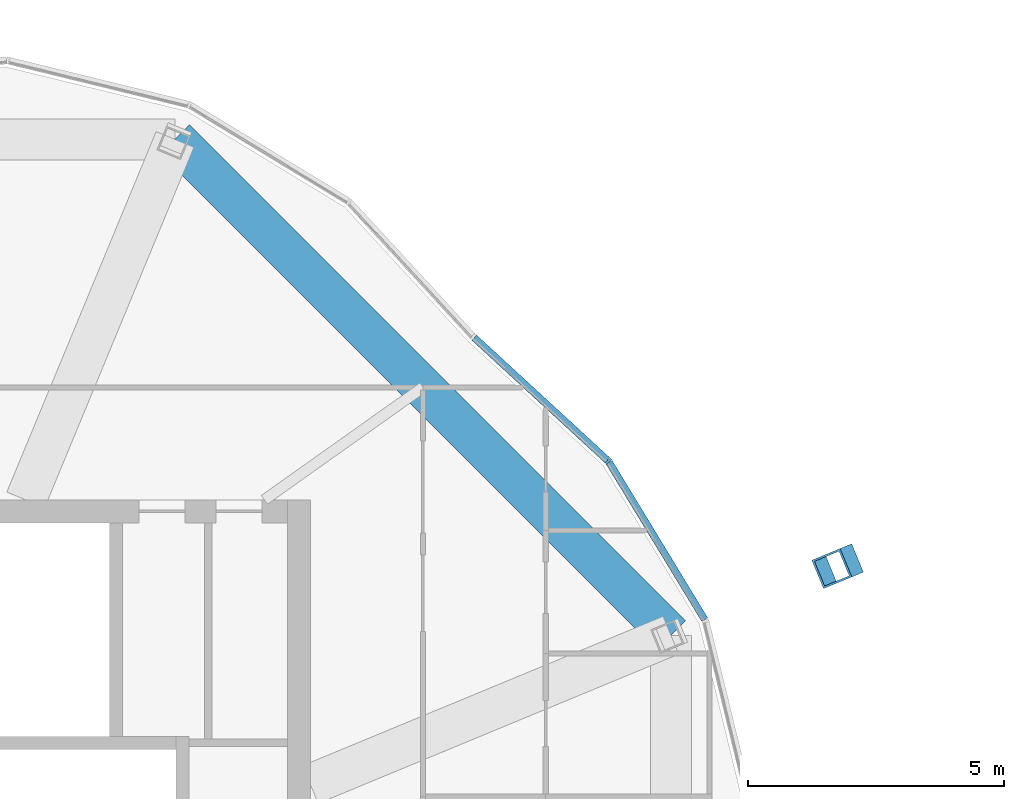
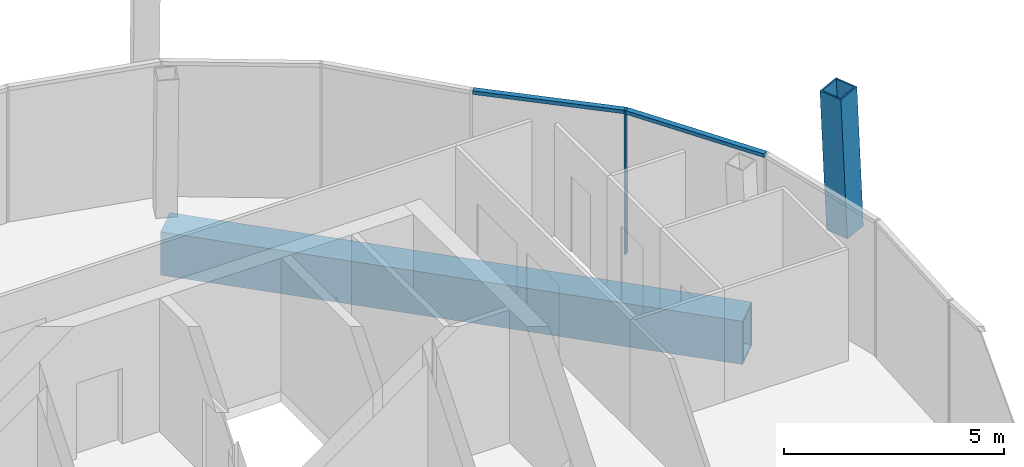
# One storey, part 6 of 22: 4 members, 1 beam, 1 element without a shape of its own.
"""IFC4 building model written with IfcOpenShell, lengths in metres."""

from ifc_helpers import new_model, si_unit, direction, frame, origin, origin_2d, place, context, subcontext, project, spatial, rectangle, hollow_rectangle, extrude, material, material_profile, profile_set, type_object, element, aggregate, save


model = new_model("IFC4")

# Units and contexts
model_context = context("Model", 3, precision=1e-05, world=origin(), true_north=direction((0.0, 1.0)))
body_context = subcontext(model_context, "Body", "Model", "MODEL_VIEW")
ifc_project = project(units=[si_unit("LENGTHUNIT", "METRE"), si_unit("AREAUNIT", "SQUARE_METRE"), si_unit("VOLUMEUNIT", "CUBIC_METRE"), si_unit("PLANEANGLEUNIT", "RADIAN"), si_unit("MASSUNIT", "GRAM", prefix="KILO")], contexts=[model_context])

# Site, building, storey
site_placement = place(None, origin())
site = spatial("IfcSite", under=ifc_project, at=site_placement, CompositionType="ELEMENT")
building_placement = place(site_placement, origin())
building = spatial("IfcBuilding", under=site, at=building_placement, Name="Ogive Gate Towers", CompositionType="ELEMENT")
storey_placement = place(building_placement, frame((0.0, 0.0, 298.0)))
storey = spatial("IfcBuildingStorey", under=building, at=storey_placement, Name="L70", CompositionType="ELEMENT", Elevation=298.0)

# Curtain wall, members
ifc_material_1 = material(Name="Pale metal aluminium", Category="aluminium")
curtain_wall_type = type_object("IfcCurtainWallType", Name="Crown lean wall", PredefinedType="NOTDEFINED", material=ifc_material_1)
curtain_wall_placement = place(storey_placement, origin())
curtain_wall = element("IfcCurtainWall", 1, at=curtain_wall_placement, inside=storey, type_object=curtain_wall_type, Name="CW5 T1 ECW01", PredefinedType="NOTDEFINED")
ifc_material_profile_1 = material_profile(ifc_material_1, rectangle(XDim=0.139892578125, YDim=0.050048828125, at=origin_2d()), Name="50 x 140 aluminium box")
ifc_profile_set_1 = profile_set([ifc_material_profile_1], Name="Pale metal aluminium")
member_type_1 = type_object("IfcMemberType", Name="Crown lean wall mullion 50 x 140", PredefinedType="MULLION", material=ifc_profile_set_1)
member_1_placement = place(storey_placement, frame((-20.674560546875, 10.255615234375, -0.300048828125), z_axis=(0.0, 0.0, 1.0), x_axis=(-0.77351952775, -0.633772467207, 0.0)))
member_1 = element("IfcMember", 2, at=member_1_placement, type_object=member_type_1, Name="CW5 mullion", PredefinedType="MULLION", context=body_context, shape_type="SweptSolid", body=[
    extrude(rectangle(XDim=0.139892578125, YDim=0.050048828125, at=origin_2d()), origin(), (0.0, 0.0, 1.0), 4.0),
])
ifc_material_profile_2 = material_profile(ifc_material_1, rectangle(XDim=0.139892578125, YDim=0.10009765625, at=origin_2d()), Name="100 x 140 aluminium box")
ifc_profile_set_2 = profile_set([ifc_material_profile_2], Name="Pale metal aluminium")
member_type_2 = type_object("IfcMemberType", Name="Crown lean wall transom 100 x 140", PredefinedType="USERDEFINED", material=ifc_profile_set_2)
member_2_placement = place(storey_placement, frame((-23.297119140625, 12.66943359375, 3.64990234375), z_axis=(0.735814008941, -0.677183685751, 0.0), x_axis=(0.677183685751, 0.735814008941, 0.0)))
member_2 = element("IfcMember", 3, at=member_2_placement, type_object=member_type_2, Name="CW5 transom", ObjectType="TRANSOM", PredefinedType="USERDEFINED", context=body_context, shape_type="SweptSolid", body=[
    extrude(rectangle(XDim=0.139892578125, YDim=0.10009765625, at=origin_2d()), origin(), (0.0, 0.0, 1.0), 3.535400390625),
])
member_3_placement = place(storey_placement, frame((-20.6591796875, 10.230712890625, 3.64990234375), z_axis=(0.519302475553, -0.854590509475, 0.0), x_axis=(0.854590509475, 0.519302475553, 0.0)))
member_3 = element("IfcMember", 4, at=member_3_placement, type_object=member_type_2, Name="CW5 transom", ObjectType="TRANSOM", PredefinedType="USERDEFINED", context=body_context, shape_type="SweptSolid", body=[
    extrude(rectangle(XDim=0.139892578125, YDim=0.10009765625, at=origin_2d()), origin(), (0.0, 0.0, 1.0), 3.59423828125),
])
aggregate(curtain_wall, [member_1, member_2, member_3])

# Member
ifc_material_2 = material(Name="Steel SM460", Category="steel")
ifc_material_profile_3 = material_profile(ifc_material_2, hollow_rectangle(XDim=0.60009765625, YDim=0.60009765625, WallThickness=0.0400390625, at=origin_2d()), Name="BX 600x600x40")
ifc_profile_set_3 = profile_set([ifc_material_profile_3], Name="Steel SM460")
member_type_3 = type_object("IfcMemberType", Name="Crown rib BX 600x600x40", PredefinedType="MEMBER", material=ifc_profile_set_3)
member_4_placement = place(storey_placement, frame((-16.080810546875, 8.250732421875, 0.0), z_axis=(-0.056413137875, -0.023332863722, 0.99813482824), x_axis=(0.382204885379, -0.924077607992, 0.0)))
element("IfcMember", 5, at=member_4_placement, inside=storey, type_object=member_type_3, Name="T1/L70/STR001", PredefinedType="MEMBER", context=body_context, shape_type="SweptSolid", body=[
    extrude(hollow_rectangle(XDim=0.60009765625, YDim=0.60009765625, WallThickness=0.0400390625, at=origin_2d()), origin(), (0.0, 0.0, 1.0), 4.007568359375),
])

# Beam
ifc_material_profile_4 = material_profile(ifc_material_2, hollow_rectangle(XDim=0.800048828125, YDim=1.199951171875, WallThickness=0.050048828125, at=origin_2d()), Name="BX 1200x800x50")
ifc_profile_set_4 = profile_set([ifc_material_profile_4], Name="Steel SM460")
beam_type = type_object("IfcBeamType", Name="Edge girder BX 1200x800x50", PredefinedType="BEAM", material=ifc_profile_set_4)
beam_placement = place(storey_placement, frame((-19.453369140625, 6.853759765625, -0.89990234375), z_axis=(-0.707106781187, 0.707106781187, 0.0), x_axis=(-0.707106781187, -0.707106781187, 0.0)))
element("IfcBeam", 6, at=beam_placement, inside=storey, type_object=beam_type, Name="T1/L70/SBM021", PredefinedType="BEAM", context=body_context, shape_type="SweptSolid", body=[
    extrude(hollow_rectangle(XDim=0.800048828125, YDim=1.199951171875, WallThickness=0.050048828125, at=origin_2d()), origin(), (0.0, 0.0, 1.0), 13.707763671875),
])

save(model, "model.ifc")
